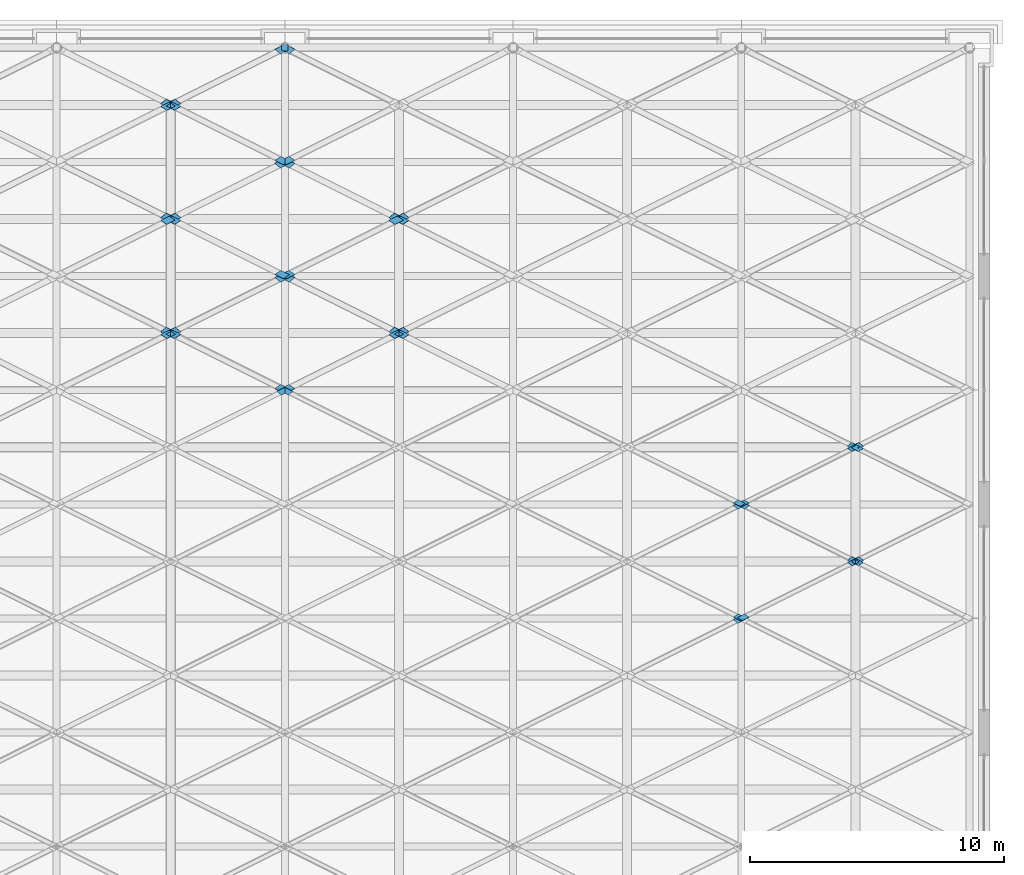
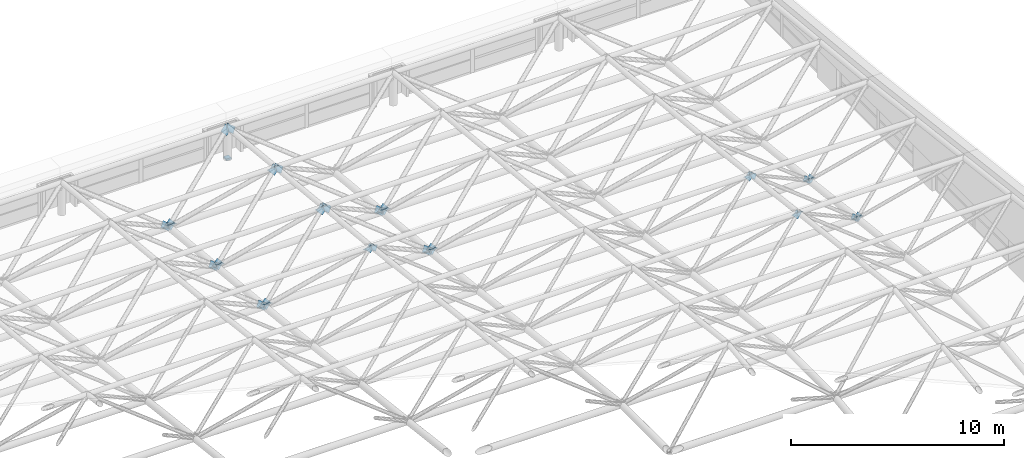
# One storey, part 49 of 53: 50 discrete accessories.
"""IFC4 building model written with IfcOpenShell, lengths in metres."""

from ifc_helpers import new_model, si_unit, direction, frame, origin, origin_2d, place, context, subcontext, project, spatial, polyline, rectangle, outline, extrude, material, layer, layer_set, type_object, element, save


model = new_model("IFC4")

# Units and contexts
model_context = context("Model", 3, precision=1e-05, world=origin(), true_north=direction((0.0, 1.0)))
body_context = subcontext(model_context, "Body", "Model", "MODEL_VIEW")
ifc_project = project(units=[si_unit("LENGTHUNIT", "METRE"), si_unit("AREAUNIT", "SQUARE_METRE"), si_unit("VOLUMEUNIT", "CUBIC_METRE"), si_unit("PLANEANGLEUNIT", "RADIAN"), si_unit("MASSUNIT", "GRAM", prefix="KILO")], contexts=[model_context])

# Site, building, storey
site_placement = place(None, origin())
site = spatial("IfcSite", under=ifc_project, at=site_placement, CompositionType="ELEMENT")
building_placement = place(site_placement, origin())
building = spatial("IfcBuilding", under=site, at=building_placement, Name="Aravalli Gate Trade Fair Centre", CompositionType="ELEMENT")
storey_placement = place(building_placement, frame((0.0, 0.0, 25.199951171875)))
storey = spatial("IfcBuildingStorey", under=building, at=storey_placement, Name="ROOF LEVEL 2", CompositionType="ELEMENT", Elevation=25.199951171875)

# Discrete accessories
ifc_material = material(Name="Steel E350", Category="steel")
discrete_accessory_type_1 = type_object("IfcDiscreteAccessoryType", Name="Bearing shoe sliding along the vault", PredefinedType="BRACKET", material=ifc_material)
discrete_accessory_1_placement = place(storey_placement, frame((78.0, 109.0, 0.0), z_axis=(0.0, 0.0, 1.0), x_axis=(1.0, 0.0, 0.0)))
element("IfcDiscreteAccessory", 1, at=discrete_accessory_1_placement, inside=storey, type_object=discrete_accessory_type_1, Name="Bearing shoe H9 (sliding)", PredefinedType="BRACKET", context=body_context, shape_type="SweptSolid", body=[
    extrude(rectangle(XDim=0.260009765625, YDim=0.260009765625, at=origin_2d()), origin(), (0.0, 0.0, 1.0), 0.10009765625),
])
ifc_layer_1 = layer(ifc_material, 0.011962890625)
ifc_layer_set_1 = layer_set([ifc_layer_1], Name="Steel E350")
discrete_accessory_type_2 = type_object("IfcDiscreteAccessoryType", Name="Gusset plate 291 x 291 x 12", PredefinedType="USERDEFINED", material=ifc_layer_set_1)
discrete_accessory_2_placement = place(storey_placement, frame((95.681884765625, 86.453857421875, 4.203369140625), z_axis=(-0.000259688153, -0.77158167438, 0.636130216483), x_axis=(0.785986034617, 0.393126352276, 0.477155765483)))
element("IfcDiscreteAccessory", 2, at=discrete_accessory_2_placement, inside=storey, type_object=discrete_accessory_type_2, Name="Gusset plate Space frame web diagonal D4D end A", ObjectType="GUSSET PLATE", PredefinedType="USERDEFINED", context=body_context, shape_type="SweptSolid", body=[
    extrude(outline(polyline([(0.0, 0.0), (0.3705660512246577, -1.3877787807814457e-17), (0.3702950470274762, -0.2905913076038385), (-0.0001750260838329909, -0.2904692096111498), (0.0, 0.0)])), origin(), (0.0, 0.0, -1.0), 0.011962890625),
])
discrete_accessory_3_placement = place(storey_placement, frame((96.12158203125, 86.675537109375, 4.005126953125), z_axis=(-5.9235462e-05, 0.824355565608, 0.566072343383), x_axis=(-0.74937131646, -0.374861397834, 0.545821914622)))
element("IfcDiscreteAccessory", 3, at=discrete_accessory_3_placement, inside=storey, type_object=discrete_accessory_type_2, Name="Gusset plate Space frame web diagonal D5A end A", ObjectType="GUSSET PLATE", PredefinedType="USERDEFINED", context=body_context, shape_type="SweptSolid", body=[
    extrude(outline(polyline([(0.0, 0.0), (0.3704277020236978, 0.0), (0.37073891027907924, 0.290526143046557), (-5.001029550574798e-06, 0.29053697785674903), (0.0, 0.0)])), origin(), (0.0, 0.0, -1.0), 0.011962890625),
])
discrete_accessory_4_placement = place(storey_placement, frame((100.18603515625, 88.707763671875, 1.047119140625), z_axis=(-0.000356491483, 0.824386555112, 0.566027102411), x_axis=(0.749660046124, 0.374830119882, -0.545446786108)))
element("IfcDiscreteAccessory", 4, at=discrete_accessory_4_placement, inside=storey, type_object=discrete_accessory_type_2, Name="Gusset plate Space frame web diagonal D5A end B", ObjectType="GUSSET PLATE", PredefinedType="USERDEFINED", context=body_context, shape_type="SweptSolid", body=[
    extrude(outline(polyline([(0.0, 0.0), (0.37061069570280314, 0.0), (0.3704262257769532, -0.2905262593825685), (-1.4474536517566916e-06, -0.29068783726431885), (0.0, 0.0)])), origin(), (0.0, 0.0, -1.0), 0.011962890625),
])
discrete_accessory_5_placement = place(storey_placement, frame((96.12158203125, 91.175537109375, 3.455078125), z_axis=(-5.9235462e-05, 0.824355565608, 0.566072343383), x_axis=(-0.74910175115, -0.37503400761, 0.546073309694)))
element("IfcDiscreteAccessory", 5, at=discrete_accessory_5_placement, inside=storey, type_object=discrete_accessory_type_2, Name="Gusset plate Space frame web diagonal D5A end A", ObjectType="GUSSET PLATE", PredefinedType="USERDEFINED", context=body_context, shape_type="SweptSolid", body=[
    extrude(outline(polyline([(0.0, 0.0), (0.37056099002046733, 1.3877787807814457e-17), (0.3708571273038952, 0.29037522366126584), (0.00024656979283793623, 0.29068772448272373), (0.0, 0.0)])), origin(), (0.0, 0.0, -1.0), 0.011962890625),
])
discrete_accessory_6_placement = place(storey_placement, frame((100.18603515625, 93.207763671875, 0.4970703125), z_axis=(-0.000338926475, 0.824215745649, 0.566275807141), x_axis=(0.749929468437, 0.374811008577, -0.545089442403)))
element("IfcDiscreteAccessory", 6, at=discrete_accessory_6_placement, inside=storey, type_object=discrete_accessory_type_2, Name="Gusset plate Space frame web diagonal D5A end B", ObjectType="GUSSET PLATE", PredefinedType="USERDEFINED", context=body_context, shape_type="SweptSolid", body=[
    extrude(outline(polyline([(0.0, 0.0), (0.3704775800363668, -1.3877787807814457e-17), (0.37054452148215117, -0.29037536695413646), (0.00011695121776518491, -0.29068780553250784), (0.0, 0.0)])), origin(), (0.0, 0.0, -1.0), 0.011962890625),
])
discrete_accessory_7_placement = place(storey_placement, frame((95.68603515625, 86.55224609375, 4.1845703125), z_axis=(5.9235462e-05, 0.824355565608, 0.566072343383), x_axis=(0.749390667151, -0.374849001628, 0.545803860343)))
element("IfcDiscreteAccessory", 7, at=discrete_accessory_7_placement, inside=storey, type_object=discrete_accessory_type_2, Name="Gusset plate Space frame web diagonal D5B end A", ObjectType="GUSSET PLATE", PredefinedType="USERDEFINED", context=body_context, shape_type="SweptSolid", body=[
    extrude(outline(polyline([(0.0, 0.0), (0.37074391146695085, 0.0), (0.3704411936966931, 0.2905261520174016), (1.3491831181253189e-05, 0.2905369775865267), (0.0, 0.0)])), origin(), (0.0, 0.0, -1.0), 0.011962890625),
])
discrete_accessory_8_placement = place(storey_placement, frame((100.62158203125, 88.58447265625, 1.226806640625), z_axis=(0.000356491483, 0.824386555112, 0.566027102411), x_axis=(-0.749371292409, 0.375015088164, -0.54571636384)))
element("IfcDiscreteAccessory", 8, at=discrete_accessory_8_placement, inside=storey, type_object=discrete_accessory_type_2, Name="Gusset plate Space frame web diagonal D5B end B", ObjectType="GUSSET PLATE", PredefinedType="USERDEFINED", context=body_context, shape_type="SweptSolid", body=[
    extrude(outline(polyline([(0.0, 0.0), (0.3704277084701571, -1.3877787807814457e-17), (0.3707389038272042, -0.29052615127976134), (0.00012824338136119273, -0.2906878089792164), (0.0, 0.0)])), origin(), (0.0, 0.0, -1.0), 0.011962890625),
])
discrete_accessory_9_placement = place(storey_placement, frame((95.68603515625, 91.05224609375, 3.634765625), z_axis=(5.9235462e-05, 0.824355565608, 0.566072343383), x_axis=(0.749660070237, -0.374676343996, 0.545552395598)))
element("IfcDiscreteAccessory", 9, at=discrete_accessory_9_placement, inside=storey, type_object=discrete_accessory_type_2, Name="Gusset plate Space frame web diagonal D5B end A", ObjectType="GUSSET PLATE", PredefinedType="USERDEFINED", context=body_context, shape_type="SweptSolid", body=[
    extrude(outline(polyline([(0.0, 0.0), (0.3706106892622231, 1.3877787807814457e-17), (0.3705593979521325, 0.2903753701380719), (-1.4603348369723879e-06, 0.29068782905287593), (0.0, 0.0)])), origin(), (0.0, 0.0, -1.0), 0.011962890625),
])
discrete_accessory_10_placement = place(storey_placement, frame((100.62158203125, 93.08447265625, 0.6767578125), z_axis=(0.000338926475, 0.824215745649, 0.566275807141), x_axis=(-0.74937124219, 0.375168906268, -0.545610697428)))
element("IfcDiscreteAccessory", 10, at=discrete_accessory_10_placement, inside=storey, type_object=discrete_accessory_type_2, Name="Gusset plate Space frame web diagonal D5B end B", ObjectType="GUSSET PLATE", PredefinedType="USERDEFINED", context=body_context, shape_type="SweptSolid", body=[
    extrude(outline(polyline([(0.0, 0.0), (0.3704277020281311, -2.7755575615628914e-17), (0.37060567875441897, -0.29037532012757467), (0.00012823049953920862, -0.29068780077573153), (0.0, 0.0)])), origin(), (0.0, 0.0, -1.0), 0.011962890625),
])
discrete_accessory_11_placement = place(storey_placement, frame((96.138916015625, 90.808349609375, 3.477294921875), z_axis=(-6.9765199e-05, -0.771154883137, 0.636647580178), x_axis=(-0.786484474244, 0.393242254842, 0.476238071536)))
element("IfcDiscreteAccessory", 11, at=discrete_accessory_11_placement, inside=storey, type_object=discrete_accessory_type_2, Name="Gusset plate Space frame web diagonal D5C end A", ObjectType="GUSSET PLATE", PredefinedType="USERDEFINED", context=body_context, shape_type="SweptSolid", body=[
    extrude(outline(polyline([(0.0, 0.0), (0.37064165383501635, 1.3877787807814457e-17), (0.3706783195979393, -0.29059144692340316), (0.00022867857401766278, -0.2904406632211646), (0.0, 0.0)])), origin(), (0.0, 0.0, -1.0), 0.011962890625),
])
discrete_accessory_12_placement = place(storey_placement, frame((100.181884765625, 88.786865234375, 1.029052734375), z_axis=(-6.9765199e-05, -0.771154883137, 0.636647580178), x_axis=(0.786233023991, -0.393446013556, -0.476484906794)))
element("IfcDiscreteAccessory", 12, at=discrete_accessory_12_placement, inside=storey, type_object=discrete_accessory_type_2, Name="Gusset plate Space frame web diagonal D5C end B", ObjectType="GUSSET PLATE", PredefinedType="USERDEFINED", context=body_context, shape_type="SweptSolid", body=[
    extrude(outline(polyline([(0.0, 0.0), (0.37044967171058096, 2.7755575615628914e-17), (0.3702947268495056, 0.290591407927876), (-0.0003468962829482891, 0.29044054608337494), (0.0, 0.0)])), origin(), (0.0, 0.0, -1.0), 0.011962890625),
])
discrete_accessory_13_placement = place(storey_placement, frame((78.138916015625, 95.308349609375, 2.92724609375), z_axis=(-6.9765199e-05, -0.771154883137, 0.636647580178), x_axis=(-0.786484474244, 0.393242254842, 0.476238071536)))
element("IfcDiscreteAccessory", 13, at=discrete_accessory_13_placement, inside=storey, type_object=discrete_accessory_type_2, Name="Gusset plate Space frame web diagonal D5C end A", ObjectType="GUSSET PLATE", PredefinedType="USERDEFINED", context=body_context, shape_type="SweptSolid", body=[
    extrude(outline(polyline([(0.0, 0.0), (0.37064165383501635, 1.3877787807814457e-17), (0.3706783195979393, -0.29059144692340316), (0.00022867857401766278, -0.2904406632211646), (0.0, 0.0)])), origin(), (0.0, 0.0, -1.0), 0.011962890625),
])
discrete_accessory_14_placement = place(storey_placement, frame((100.181884765625, 93.286865234375, 0.479248046875), z_axis=(0.000260921892, -0.770886805608, 0.636972106814), x_axis=(0.786233024012, -0.393446097564, -0.476484837392)))
element("IfcDiscreteAccessory", 14, at=discrete_accessory_14_placement, inside=storey, type_object=discrete_accessory_type_2, Name="Gusset plate Space frame web diagonal D5C end B", ObjectType="GUSSET PLATE", PredefinedType="USERDEFINED", context=body_context, shape_type="SweptSolid", body=[
    extrude(outline(polyline([(0.0, 0.0), (0.3704496717105797, 1.3877787807814457e-17), (0.37041105616888137, 0.29044341854454775), (-0.00023056696357631745, 0.2902925567125407), (0.0, 0.0)])), origin(), (0.0, 0.0, -1.0), 0.011962890625),
])
discrete_accessory_15_placement = place(storey_placement, frame((95.681884765625, 90.953857421875, 3.653564453125), z_axis=(6.9765199e-05, -0.771154883137, 0.636647580178), x_axis=(0.786233023991, 0.393446013556, 0.476484906794)))
element("IfcDiscreteAccessory", 15, at=discrete_accessory_15_placement, inside=storey, type_object=discrete_accessory_type_2, Name="Gusset plate Space frame web diagonal D5D end A", ObjectType="GUSSET PLATE", PredefinedType="USERDEFINED", context=body_context, shape_type="SweptSolid", body=[
    extrude(outline(polyline([(0.0, 0.0), (0.37044967171058096, -2.7755575615628914e-17), (0.3702947268495056, -0.290591407927876), (-0.0003468962829482891, -0.29044054608337494), (0.0, 0.0)])), origin(), (0.0, 0.0, -1.0), 0.011962890625),
])
discrete_accessory_16_placement = place(storey_placement, frame((100.638916015625, 88.932373046875, 1.205322265625), z_axis=(6.9765199e-05, -0.771154883137, 0.636647580178), x_axis=(-0.786484474244, -0.393242254842, -0.476238071536)))
element("IfcDiscreteAccessory", 16, at=discrete_accessory_16_placement, inside=storey, type_object=discrete_accessory_type_2, Name="Gusset plate Space frame web diagonal D5D end B", ObjectType="GUSSET PLATE", PredefinedType="USERDEFINED", context=body_context, shape_type="SweptSolid", body=[
    extrude(outline(polyline([(0.0, 0.0), (0.37064165383501635, -1.3877787807814457e-17), (0.3706783195979393, 0.29059144692340316), (0.00022867857401766278, 0.2904406632211646), (0.0, 0.0)])), origin(), (0.0, 0.0, -1.0), 0.011962890625),
])
discrete_accessory_17_placement = place(storey_placement, frame((77.681884765625, 95.453857421875, 3.103515625), z_axis=(6.9765199e-05, -0.771154883137, 0.636647580178), x_axis=(0.786233023991, 0.393446013556, 0.476484906794)))
element("IfcDiscreteAccessory", 17, at=discrete_accessory_17_placement, inside=storey, type_object=discrete_accessory_type_2, Name="Gusset plate Space frame web diagonal D5D end A", ObjectType="GUSSET PLATE", PredefinedType="USERDEFINED", context=body_context, shape_type="SweptSolid", body=[
    extrude(outline(polyline([(0.0, 0.0), (0.37044967171058096, -2.7755575615628914e-17), (0.3702947268495056, -0.290591407927876), (-0.0003468962829482891, -0.29044054608337494), (0.0, 0.0)])), origin(), (0.0, 0.0, -1.0), 0.011962890625),
])
discrete_accessory_18_placement = place(storey_placement, frame((100.638916015625, 93.432373046875, 0.6552734375), z_axis=(-0.000260921892, -0.770886805608, 0.636972106814), x_axis=(-0.786484474223, -0.393242170877, -0.476238140902)))
element("IfcDiscreteAccessory", 18, at=discrete_accessory_18_placement, inside=storey, type_object=discrete_accessory_type_2, Name="Gusset plate Space frame web diagonal D5D end B", ObjectType="GUSSET PLATE", PredefinedType="USERDEFINED", context=body_context, shape_type="SweptSolid", body=[
    extrude(outline(polyline([(0.0, 0.0), (0.37064165383501513, -1.3877787807814457e-17), (0.37056205053393565, 0.29044341020294784), (0.00011240951001027788, 0.2902926265131968), (0.0, 0.0)])), origin(), (0.0, 0.0, -1.0), 0.011962890625),
])
ifc_layer_2 = layer(ifc_material, 0.011962890625)
ifc_layer_set_2 = layer_set([ifc_layer_2], Name="Steel E350")
discrete_accessory_type_3 = type_object("IfcDiscreteAccessoryType", Name="Gusset plate 367 x 367 x 12", PredefinedType="USERDEFINED", material=ifc_layer_set_2)
discrete_accessory_19_placement = place(storey_placement, frame((73.103271484375, 97.69580078125, 0.01318359375), z_axis=(-5.6748583e-05, 0.820281851296, 0.571959510117), x_axis=(0.752910033129, 0.376455016564, -0.539822287904)))
element("IfcDiscreteAccessory", 19, at=discrete_accessory_19_placement, inside=storey, type_object=discrete_accessory_type_3, Name="Gusset plate Space frame web diagonal D6A end B", ObjectType="GUSSET PLATE", PredefinedType="USERDEFINED", context=body_context, shape_type="SweptSolid", body=[
    extrude(outline(polyline([(0.0, 0.0), (0.44683397278152426, -2.7755575615628914e-17), (0.446676168543117, -0.36669373954089096), (-0.0001578042384072914, -0.3666937395408909), (0.0, 0.0)])), origin(), (0.0, 0.0, -1.0), 0.011962890625),
])
discrete_accessory_20_placement = place(storey_placement, frame((78.155517578125, 95.721923828125, 2.84228515625), z_axis=(-5.6748583e-05, 0.820281851296, 0.571959510117), x_axis=(-0.752910033129, -0.376455016564, 0.539822287904)))
element("IfcDiscreteAccessory", 20, at=discrete_accessory_20_placement, inside=storey, type_object=discrete_accessory_type_3, Name="Gusset plate Space frame web diagonal D6A end A", ObjectType="GUSSET PLATE", PredefinedType="USERDEFINED", context=body_context, shape_type="SweptSolid", body=[
    extrude(outline(polyline([(0.0, 0.0), (0.44683397278152426, -2.7755575615628914e-17), (0.44699177701993154, 0.3666937395408909), (0.0001578042384072914, 0.3666937395408909), (0.0, 0.0)])), origin(), (0.0, 0.0, -1.0), 0.011962890625),
])
discrete_accessory_21_placement = place(storey_placement, frame((82.103271484375, 97.69580078125, 0.01318359375), z_axis=(-5.6748583e-05, 0.820281851296, 0.571959510117), x_axis=(0.752910033129, 0.376455016564, -0.539822287904)))
element("IfcDiscreteAccessory", 21, at=discrete_accessory_21_placement, inside=storey, type_object=discrete_accessory_type_3, Name="Gusset plate Space frame web diagonal D6A end B", ObjectType="GUSSET PLATE", PredefinedType="USERDEFINED", context=body_context, shape_type="SweptSolid", body=[
    extrude(outline(polyline([(0.0, 0.0), (0.44683397278152426, -2.7755575615628914e-17), (0.446676168543117, -0.36669373954089096), (-0.0001578042384072914, -0.3666937395408909), (0.0, 0.0)])), origin(), (0.0, 0.0, -1.0), 0.011962890625),
])
discrete_accessory_22_placement = place(storey_placement, frame((73.103271484375, 102.19580078125, -0.436767578125), z_axis=(-4.9126691e-05, 0.820140995503, 0.572161467667), x_axis=(0.752910034648, 0.376583216139, -0.539732860821)))
element("IfcDiscreteAccessory", 22, at=discrete_accessory_22_placement, inside=storey, type_object=discrete_accessory_type_3, Name="Gusset plate Space frame web diagonal D6A end B", ObjectType="GUSSET PLATE", PredefinedType="USERDEFINED", context=body_context, shape_type="SweptSolid", body=[
    extrude(outline(polyline([(0.0, 0.0), (0.4468339673229258, 0.0), (0.44667617399978776, -0.366693732894023), (-2.6022605164321977e-05, -0.3665429734004617), (0.0, 0.0)])), origin(), (0.0, 0.0, -1.0), 0.011962890625),
])
discrete_accessory_23_placement = place(storey_placement, frame((78.155517578125, 100.221923828125, 2.392333984375), z_axis=(-4.9126691e-05, 0.820140995503, 0.572161467667), x_axis=(-0.752910034648, -0.376583216139, 0.539732860821)))
element("IfcDiscreteAccessory", 23, at=discrete_accessory_23_placement, inside=storey, type_object=discrete_accessory_type_3, Name="Gusset plate Space frame web diagonal D6A end A", ObjectType="GUSSET PLATE", PredefinedType="USERDEFINED", context=body_context, shape_type="SweptSolid", body=[
    extrude(outline(polyline([(0.0, 0.0), (0.4468339673229258, 0.0), (0.4468599899280901, 0.36654297340046177), (0.00015779332313807515, 0.366693732894023), (0.0, 0.0)])), origin(), (0.0, 0.0, -1.0), 0.011962890625),
])
discrete_accessory_24_placement = place(storey_placement, frame((82.103271484375, 102.19580078125, -0.436767578125), z_axis=(-4.9126691e-05, 0.820140995503, 0.572161467667), x_axis=(0.752910034648, 0.376583216139, -0.539732860821)))
element("IfcDiscreteAccessory", 24, at=discrete_accessory_24_placement, inside=storey, type_object=discrete_accessory_type_3, Name="Gusset plate Space frame web diagonal D6A end B", ObjectType="GUSSET PLATE", PredefinedType="USERDEFINED", context=body_context, shape_type="SweptSolid", body=[
    extrude(outline(polyline([(0.0, 0.0), (0.4468339673229258, 0.0), (0.44667617399978776, -0.366693732894023), (-2.6022605164321977e-05, -0.3665429734004617), (0.0, 0.0)])), origin(), (0.0, 0.0, -1.0), 0.011962890625),
])
discrete_accessory_25_placement = place(storey_placement, frame((73.103271484375, 106.69580078125, -0.886962890625), z_axis=(-0.000292195819, 0.820164189793, 0.572128146837), x_axis=(0.753132087854, 0.376566043927, -0.539434956975)))
element("IfcDiscreteAccessory", 25, at=discrete_accessory_25_placement, inside=storey, type_object=discrete_accessory_type_3, Name="Gusset plate Space frame web diagonal D6A end B", ObjectType="GUSSET PLATE", PredefinedType="USERDEFINED", context=body_context, shape_type="SweptSolid", body=[
    extrude(outline(polyline([(0.0, 0.0), (0.4467022275054028, 2.7755575615628914e-17), (0.4466682021894723, -0.366693771917302), (-3.402531593046931e-05, -0.366693771917302), (0.0, 0.0)])), origin(), (0.0, 0.0, -1.0), 0.011962890625),
])
discrete_accessory_26_placement = place(storey_placement, frame((78.155517578125, 104.721923828125, 1.9423828125), z_axis=(-0.000292195819, 0.820164189793, 0.572128146837), x_axis=(-0.753132087854, -0.376566043927, 0.539434956975)))
element("IfcDiscreteAccessory", 26, at=discrete_accessory_26_placement, inside=storey, type_object=discrete_accessory_type_3, Name="Gusset plate Space frame web diagonal D6A end A", ObjectType="GUSSET PLATE", PredefinedType="USERDEFINED", context=body_context, shape_type="SweptSolid", body=[
    extrude(outline(polyline([(0.0, 0.0), (0.4467022275054028, 2.7755575615628914e-17), (0.4467362528213333, 0.36669377191730207), (3.402531593046931e-05, 0.366693771917302), (0.0, 0.0)])), origin(), (0.0, 0.0, -1.0), 0.011962890625),
])
discrete_accessory_27_placement = place(storey_placement, frame((77.603271484375, 95.56396484375, 3.06884765625), z_axis=(5.6748583e-05, 0.820281851296, 0.571959510117), x_axis=(0.752910033129, -0.376455016564, 0.539822287904)))
element("IfcDiscreteAccessory", 27, at=discrete_accessory_27_placement, inside=storey, type_object=discrete_accessory_type_3, Name="Gusset plate Space frame web diagonal D6B end A", ObjectType="GUSSET PLATE", PredefinedType="USERDEFINED", context=body_context, shape_type="SweptSolid", body=[
    extrude(outline(polyline([(0.0, 0.0), (0.44683397278152426, 2.7755575615628914e-17), (0.446676168543117, 0.36669373954089096), (-0.0001578042384072914, 0.3666937395408909), (0.0, 0.0)])), origin(), (0.0, 0.0, -1.0), 0.011962890625),
])
for number, where, z_axis, x_axis, name in (
    (28, (73.655517578125, 97.537841796875, 0.23974609375), (5.6748583e-05, 0.820281851296, 0.571959510117), (-0.752910033129, 0.376455016564, -0.539822287904), "Gusset plate Space frame web diagonal D6B end B"),
    (29, (82.655517578125, 97.537841796875, 0.23974609375), (5.6748583e-05, 0.820281851296, 0.571959510117), (-0.752910033129, 0.376455016564, -0.539822287904), "Gusset plate Space frame web diagonal D6B end B"),
):
    element("IfcDiscreteAccessory", number, at=place(storey_placement, frame(where, z_axis=z_axis, x_axis=x_axis)), inside=storey, type_object=discrete_accessory_type_3, Name=name, ObjectType="GUSSET PLATE", PredefinedType="USERDEFINED", context=body_context, shape_type="SweptSolid", body=[
        extrude(outline(polyline([(0.0, 0.0), (0.44683397278152426, 2.7755575615628914e-17), (0.44699177701993154, -0.3666937395408909), (0.0001578042384072914, -0.3666937395408909), (0.0, 0.0)])), origin(), (0.0, 0.0, -1.0), 0.011962890625),
    ])
discrete_accessory_28_placement = place(storey_placement, frame((77.603271484375, 100.06396484375, 2.618896484375), z_axis=(4.9126691e-05, 0.820140995503, 0.572161467667), x_axis=(0.753132104741, -0.376437815746, 0.539524423623)))
element("IfcDiscreteAccessory", 30, at=discrete_accessory_28_placement, inside=storey, type_object=discrete_accessory_type_3, Name="Gusset plate Space frame web diagonal D6B end A", ObjectType="GUSSET PLATE", PredefinedType="USERDEFINED", context=body_context, shape_type="SweptSolid", body=[
    extrude(outline(polyline([(0.0, 0.0), (0.4467022220451944, 0.0), (0.44679990563841726, 0.3665429613078707), (-3.4036236763179684e-05, 0.3666937652647241), (0.0, 0.0)])), origin(), (0.0, 0.0, -1.0), 0.011962890625),
])
for number, where, z_axis, x_axis, name in (
    (31, (73.655517578125, 102.037841796875, -0.21044921875), (4.9126691e-05, 0.820140995503, 0.572161467667), (-0.753132104741, 0.376437815746, -0.539524423623), "Gusset plate Space frame web diagonal D6B end B"),
    (32, (82.655517578125, 102.037841796875, -0.21044921875), (4.9126691e-05, 0.820140995503, 0.572161467667), (-0.753132104741, 0.376437815746, -0.539524423623), "Gusset plate Space frame web diagonal D6B end B"),
):
    element("IfcDiscreteAccessory", number, at=place(storey_placement, frame(where, z_axis=z_axis, x_axis=x_axis)), inside=storey, type_object=discrete_accessory_type_3, Name=name, ObjectType="GUSSET PLATE", PredefinedType="USERDEFINED", context=body_context, shape_type="SweptSolid", body=[
        extrude(outline(polyline([(0.0, 0.0), (0.4467022220451944, 0.0), (0.44673625828195757, -0.3666937652647241), (-9.768359322287479e-05, -0.3665429613078708), (0.0, 0.0)])), origin(), (0.0, 0.0, -1.0), 0.011962890625),
    ])
discrete_accessory_29_placement = place(storey_placement, frame((77.603271484375, 104.56396484375, 2.1689453125), z_axis=(0.000292195819, 0.820164189793, 0.572128146837), x_axis=(0.753132087854, -0.376566043927, 0.539434956975)))
element("IfcDiscreteAccessory", 33, at=discrete_accessory_29_placement, inside=storey, type_object=discrete_accessory_type_3, Name="Gusset plate Space frame web diagonal D6B end A", ObjectType="GUSSET PLATE", PredefinedType="USERDEFINED", context=body_context, shape_type="SweptSolid", body=[
    extrude(outline(polyline([(0.0, 0.0), (0.4467022275054028, -2.7755575615628914e-17), (0.4466682021894723, 0.366693771917302), (-3.402531593046931e-05, 0.366693771917302), (0.0, 0.0)])), origin(), (0.0, 0.0, -1.0), 0.011962890625),
])
discrete_accessory_30_placement = place(storey_placement, frame((73.655517578125, 106.537841796875, -0.660400390625), z_axis=(0.000292195819, 0.820164189793, 0.572128146837), x_axis=(-0.753132087854, 0.376566043927, -0.539434956975)))
element("IfcDiscreteAccessory", 34, at=discrete_accessory_30_placement, inside=storey, type_object=discrete_accessory_type_3, Name="Gusset plate Space frame web diagonal D6B end B", ObjectType="GUSSET PLATE", PredefinedType="USERDEFINED", context=body_context, shape_type="SweptSolid", body=[
    extrude(outline(polyline([(0.0, 0.0), (0.4467022275054028, -2.7755575615628914e-17), (0.4467362528213333, -0.36669377191730207), (3.402531593046931e-05, -0.366693771917302), (0.0, 0.0)])), origin(), (0.0, 0.0, -1.0), 0.011962890625),
])
discrete_accessory_31_placement = place(storey_placement, frame((73.0986328125, 97.798583984375, -0.005615234375), z_axis=(-0.000106895173, -0.77673595722, 0.629826358082), x_axis=(0.783044443413, -0.391795440284, -0.483050445204)))
element("IfcDiscreteAccessory", 35, at=discrete_accessory_31_placement, inside=storey, type_object=discrete_accessory_type_3, Name="Gusset plate Space frame web diagonal D6C end B", ObjectType="GUSSET PLATE", PredefinedType="USERDEFINED", context=body_context, shape_type="SweptSolid", body=[
    extrude(outline(polyline([(0.0, 0.0), (0.4467862821424865, 0.0), (0.4468639253124893, 0.3669184164565776), (7.764317000273635e-05, 0.36691841645657763), (0.0, 0.0)])), origin(), (0.0, 0.0, -1.0), 0.011962890625),
])
discrete_accessory_32_placement = place(storey_placement, frame((78.173095703125, 99.76123046875, 2.4150390625), z_axis=(-0.000106895173, -0.77673595722, 0.629826358082), x_axis=(-0.783044443413, 0.391795440284, 0.483050445204)))
element("IfcDiscreteAccessory", 36, at=discrete_accessory_32_placement, inside=storey, type_object=discrete_accessory_type_3, Name="Gusset plate Space frame web diagonal D6C end A", ObjectType="GUSSET PLATE", PredefinedType="USERDEFINED", context=body_context, shape_type="SweptSolid", body=[
    extrude(outline(polyline([(0.0, 0.0), (0.4467862821424865, 0.0), (0.4467086389724838, -0.36691841645657763), (-7.764317000273635e-05, -0.36691841645657763), (0.0, 0.0)])), origin(), (0.0, 0.0, -1.0), 0.011962890625),
])
for number, where, z_axis, x_axis, name in (
    (37, (82.0986328125, 97.798583984375, -0.005615234375), (-0.000106895173, -0.77673595722, 0.629826358082), (0.783044443413, -0.391795440284, -0.483050445204), "Gusset plate Space frame web diagonal D6C end B"),
    (38, (73.0986328125, 102.298583984375, -0.45556640625), (-0.000106895173, -0.77673595722, 0.629826358082), (0.783044443413, -0.391795440284, -0.483050445204), "Gusset plate Space frame web diagonal D6C end B"),
):
    element("IfcDiscreteAccessory", number, at=place(storey_placement, frame(where, z_axis=z_axis, x_axis=x_axis)), inside=storey, type_object=discrete_accessory_type_3, Name=name, ObjectType="GUSSET PLATE", PredefinedType="USERDEFINED", context=body_context, shape_type="SweptSolid", body=[
        extrude(outline(polyline([(0.0, 0.0), (0.4467862821424865, 0.0), (0.4468639253124893, 0.3669184164565776), (7.764317000273635e-05, 0.36691841645657763), (0.0, 0.0)])), origin(), (0.0, 0.0, -1.0), 0.011962890625),
    ])
discrete_accessory_33_placement = place(storey_placement, frame((78.173095703125, 104.26123046875, 1.965087890625), z_axis=(-0.000106895173, -0.77673595722, 0.629826358082), x_axis=(-0.783044443413, 0.391795440284, 0.483050445204)))
element("IfcDiscreteAccessory", 39, at=discrete_accessory_33_placement, inside=storey, type_object=discrete_accessory_type_3, Name="Gusset plate Space frame web diagonal D6C end A", ObjectType="GUSSET PLATE", PredefinedType="USERDEFINED", context=body_context, shape_type="SweptSolid", body=[
    extrude(outline(polyline([(0.0, 0.0), (0.4467862821424865, 0.0), (0.4467086389724838, -0.36691841645657763), (-7.764317000273635e-05, -0.36691841645657763), (0.0, 0.0)])), origin(), (0.0, 0.0, -1.0), 0.011962890625),
])
for number, where, z_axis, x_axis, name in (
    (40, (82.0986328125, 102.298583984375, -0.45556640625), (-0.000106895173, -0.77673595722, 0.629826358082), (0.783044443413, -0.391795440284, -0.483050445204), "Gusset plate Space frame web diagonal D6C end B"),
    (41, (73.0986328125, 106.798583984375, -0.905517578125), (-0.000106895173, -0.77673595722, 0.629826358082), (0.783044443413, -0.391795440284, -0.483050445204), "Gusset plate Space frame web diagonal D6C end B"),
):
    element("IfcDiscreteAccessory", number, at=place(storey_placement, frame(where, z_axis=z_axis, x_axis=x_axis)), inside=storey, type_object=discrete_accessory_type_3, Name=name, ObjectType="GUSSET PLATE", PredefinedType="USERDEFINED", context=body_context, shape_type="SweptSolid", body=[
        extrude(outline(polyline([(0.0, 0.0), (0.4467862821424865, 0.0), (0.4468639253124893, 0.3669184164565776), (7.764317000273635e-05, 0.36691841645657763), (0.0, 0.0)])), origin(), (0.0, 0.0, -1.0), 0.011962890625),
    ])
discrete_accessory_34_placement = place(storey_placement, frame((78.173095703125, 108.76123046875, 1.51513671875), z_axis=(-0.000106895173, -0.77673595722, 0.629826358082), x_axis=(-0.783044443413, 0.391795440284, 0.483050445204)))
element("IfcDiscreteAccessory", 42, at=discrete_accessory_34_placement, inside=storey, type_object=discrete_accessory_type_3, Name="Gusset plate Space frame web diagonal D6C end A", ObjectType="GUSSET PLATE", PredefinedType="USERDEFINED", context=body_context, shape_type="SweptSolid", body=[
    extrude(outline(polyline([(0.0, 0.0), (0.4467862821424865, 0.0), (0.4467086389724838, -0.36691841645657763), (-7.764317000273635e-05, -0.36691841645657763), (0.0, 0.0)])), origin(), (0.0, 0.0, -1.0), 0.011962890625),
])
discrete_accessory_35_placement = place(storey_placement, frame((77.5986328125, 99.942138671875, 2.63818359375), z_axis=(0.000106895173, -0.77673595722, 0.629826358082), x_axis=(0.783044443413, 0.391795440284, 0.483050445204)))
element("IfcDiscreteAccessory", 43, at=discrete_accessory_35_placement, inside=storey, type_object=discrete_accessory_type_3, Name="Gusset plate Space frame web diagonal D6D end A", ObjectType="GUSSET PLATE", PredefinedType="USERDEFINED", context=body_context, shape_type="SweptSolid", body=[
    extrude(outline(polyline([(0.0, 0.0), (0.4467862821424865, 0.0), (0.4468639253124893, -0.3669184164565776), (7.764317000273635e-05, -0.36691841645657763), (0.0, 0.0)])), origin(), (0.0, 0.0, -1.0), 0.011962890625),
])
for number, where, z_axis, x_axis, name in (
    (44, (73.673095703125, 97.9794921875, 0.217529296875), (0.000106895173, -0.77673595722, 0.629826358082), (-0.783044443413, -0.391795440284, -0.483050445204), "Gusset plate Space frame web diagonal D6D end B"),
    (45, (82.673095703125, 97.9794921875, 0.217529296875), (0.000106895173, -0.77673595722, 0.629826358082), (-0.783044443413, -0.391795440284, -0.483050445204), "Gusset plate Space frame web diagonal D6D end B"),
):
    element("IfcDiscreteAccessory", number, at=place(storey_placement, frame(where, z_axis=z_axis, x_axis=x_axis)), inside=storey, type_object=discrete_accessory_type_3, Name=name, ObjectType="GUSSET PLATE", PredefinedType="USERDEFINED", context=body_context, shape_type="SweptSolid", body=[
        extrude(outline(polyline([(0.0, 0.0), (0.4467862821424865, 0.0), (0.4467086389724838, 0.36691841645657763), (-7.764317000273635e-05, 0.36691841645657763), (0.0, 0.0)])), origin(), (0.0, 0.0, -1.0), 0.011962890625),
    ])
discrete_accessory_36_placement = place(storey_placement, frame((77.5986328125, 104.442138671875, 2.188232421875), z_axis=(0.000106895173, -0.77673595722, 0.629826358082), x_axis=(0.783044443413, 0.391795440284, 0.483050445204)))
element("IfcDiscreteAccessory", 46, at=discrete_accessory_36_placement, inside=storey, type_object=discrete_accessory_type_3, Name="Gusset plate Space frame web diagonal D6D end A", ObjectType="GUSSET PLATE", PredefinedType="USERDEFINED", context=body_context, shape_type="SweptSolid", body=[
    extrude(outline(polyline([(0.0, 0.0), (0.4467862821424865, 0.0), (0.4468639253124893, -0.3669184164565776), (7.764317000273635e-05, -0.36691841645657763), (0.0, 0.0)])), origin(), (0.0, 0.0, -1.0), 0.011962890625),
])
for number, where, z_axis, x_axis, name in (
    (47, (73.673095703125, 102.4794921875, -0.232421875), (0.000106895173, -0.77673595722, 0.629826358082), (-0.783044443413, -0.391795440284, -0.483050445204), "Gusset plate Space frame web diagonal D6D end B"),
    (48, (82.673095703125, 102.4794921875, -0.232421875), (0.000106895173, -0.77673595722, 0.629826358082), (-0.783044443413, -0.391795440284, -0.483050445204), "Gusset plate Space frame web diagonal D6D end B"),
):
    element("IfcDiscreteAccessory", number, at=place(storey_placement, frame(where, z_axis=z_axis, x_axis=x_axis)), inside=storey, type_object=discrete_accessory_type_3, Name=name, ObjectType="GUSSET PLATE", PredefinedType="USERDEFINED", context=body_context, shape_type="SweptSolid", body=[
        extrude(outline(polyline([(0.0, 0.0), (0.4467862821424865, 0.0), (0.4467086389724838, 0.36691841645657763), (-7.764317000273635e-05, 0.36691841645657763), (0.0, 0.0)])), origin(), (0.0, 0.0, -1.0), 0.011962890625),
    ])
discrete_accessory_37_placement = place(storey_placement, frame((77.5986328125, 108.942138671875, 1.73828125), z_axis=(0.000106895173, -0.77673595722, 0.629826358082), x_axis=(0.783044443413, 0.391795440284, 0.483050445204)))
element("IfcDiscreteAccessory", 49, at=discrete_accessory_37_placement, inside=storey, type_object=discrete_accessory_type_3, Name="Gusset plate Space frame web diagonal D6D end A", ObjectType="GUSSET PLATE", PredefinedType="USERDEFINED", context=body_context, shape_type="SweptSolid", body=[
    extrude(outline(polyline([(0.0, 0.0), (0.4467862821424865, 0.0), (0.4468639253124893, -0.3669184164565776), (7.764317000273635e-05, -0.36691841645657763), (0.0, 0.0)])), origin(), (0.0, 0.0, -1.0), 0.011962890625),
])
discrete_accessory_38_placement = place(storey_placement, frame((73.673095703125, 106.9794921875, -0.682373046875), z_axis=(0.000106895173, -0.77673595722, 0.629826358082), x_axis=(-0.783044443413, -0.391795440284, -0.483050445204)))
element("IfcDiscreteAccessory", 50, at=discrete_accessory_38_placement, inside=storey, type_object=discrete_accessory_type_3, Name="Gusset plate Space frame web diagonal D6D end B", ObjectType="GUSSET PLATE", PredefinedType="USERDEFINED", context=body_context, shape_type="SweptSolid", body=[
    extrude(outline(polyline([(0.0, 0.0), (0.4467862821424865, 0.0), (0.4467086389724838, 0.36691841645657763), (-7.764317000273635e-05, 0.36691841645657763), (0.0, 0.0)])), origin(), (0.0, 0.0, -1.0), 0.011962890625),
])

save(model, "model.ifc")
